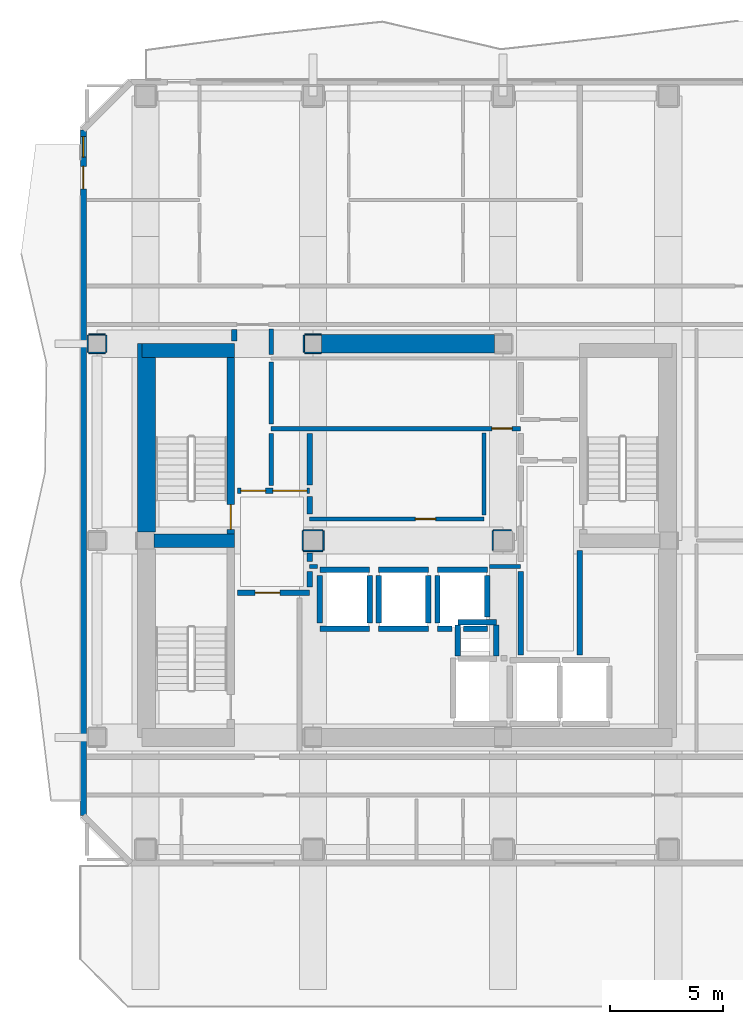
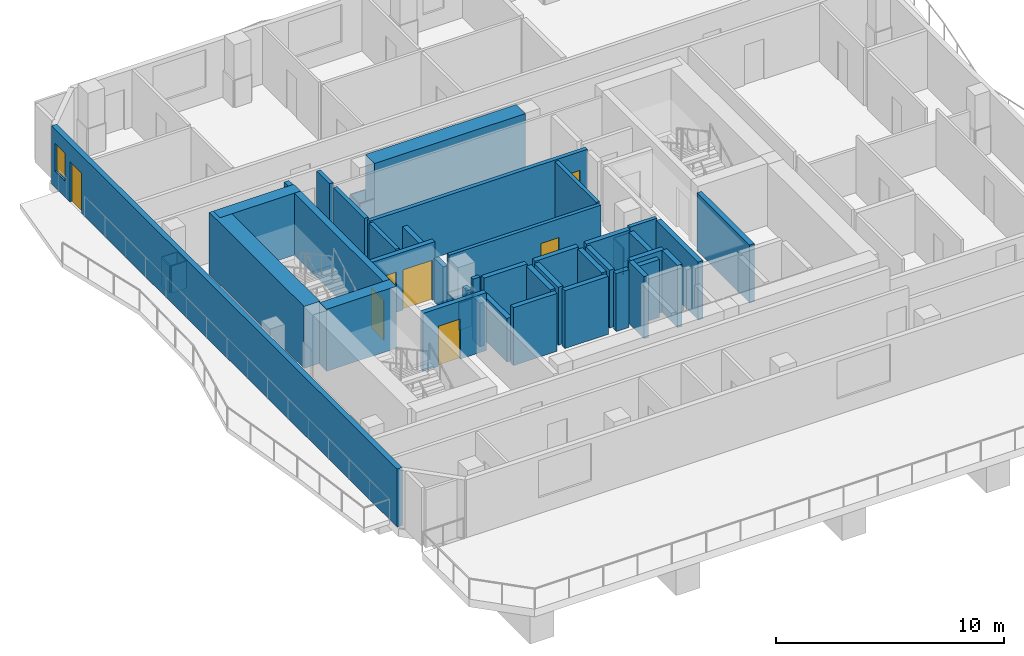
# One storey, part 3 of 9: 52 walls, 7 doors, 1 window, 8 openings.
"""IFC4 building model written with IfcOpenShell, lengths in metres."""

import ifcopenshell
import ifcopenshell.guid

model = None  # the IFC model being written
_history = None  # IfcOwnerHistory: only IFC2X3 demands one
_inside = {}  # id of a spatial element -> (the spatial element, [elements in it])
_under = {}  # id of a project, library or spatial element -> (it, [spatial elements below it])
_declared = {}  # id of a project -> (the project, [libraries it declares])
_typed = {}  # id of a type object -> (the type object, [elements of that type])
_made_of = {}  # id of a material, layer set ... -> (it, [elements and type objects made of it])


def new_model(schema):
    """Start an empty IFC model of exactly this schema.

    Asked for "IFC4X3", IfcOpenShell would pick the latest addendum, in which some entities
    have other attributes; the version numbers below select the first issue.
    IFC2X3 requires an IfcOwnerHistory on every rooted entity: one is made here for all.
    """
    global model, _history
    if schema == "IFC4X3":
        model = ifcopenshell.file(schema_version=(4, 3, 0, 0))
    else:
        model = ifcopenshell.file(schema=schema)
    _inside.clear()
    _under.clear()
    _declared.clear()
    _typed.clear()
    _made_of.clear()
    _history = None
    if model.schema == "IFC2X3":
        org = make("IfcOrganization", Name="unknown")
        user = make(
            "IfcPersonAndOrganization",
            ThePerson=make("IfcPerson", FamilyName="unknown"),
            TheOrganization=org,
        )
        app = make(
            "IfcApplication",
            ApplicationDeveloper=org,
            Version="unknown",
            ApplicationFullName="unknown",
            ApplicationIdentifier="unknown",
        )
        _history = make(
            "IfcOwnerHistory",
            OwningUser=user,
            OwningApplication=app,
            ChangeAction="ADDED",
            CreationDate=0,
        )
    return model


def make(cls, **values):
    """One entity of the class cls with the attributes given. An attribute that is None is left unset."""
    return model.create_entity(
        cls, **{name: value for name, value in values.items() if value is not None}
    )


def rooted(cls, **values):
    """An entity with a GlobalId (a new one), such as an element, a storey or a relation."""
    return make(cls, GlobalId=ifcopenshell.guid.new(), OwnerHistory=_history, **values)


def si_unit(unit_type, name, prefix=None):
    """IfcSIUnit, for example si_unit("LENGTHUNIT", "METRE", prefix="MILLI")."""
    return make("IfcSIUnit", UnitType=unit_type, Prefix=prefix, Name=name)


def assignment(units):
    """IfcUnitAssignment: the units of a project."""
    return None if units is None else make("IfcUnitAssignment", Units=units)


def point(xyz):
    """IfcCartesianPoint."""
    return None if xyz is None else make("IfcCartesianPoint", Coordinates=xyz)


def direction(xyz):
    """IfcDirection."""
    return None if xyz is None else make("IfcDirection", DirectionRatios=xyz)


def frame(location, z_axis=None, x_axis=None):
    """IfcAxis2Placement3D, a coordinate frame: its origin and axes. An axis left out is left unset."""
    return make(
        "IfcAxis2Placement3D",
        Location=point(location),
        Axis=direction(z_axis),
        RefDirection=direction(x_axis),
    )


def frame_2d(location, x_axis=None):
    """IfcAxis2Placement2D, a coordinate frame in the plane: its origin and x axis."""
    return make(
        "IfcAxis2Placement2D", Location=point(location), RefDirection=direction(x_axis)
    )


def origin():
    """The frame at (0, 0, 0) with its axes left unset."""
    return frame((0.0, 0.0, 0.0))


def place(relative_to, where):
    """IfcLocalPlacement: puts the frame where relative to a parent placement (None: the world)."""
    return make(
        "IfcLocalPlacement", PlacementRelTo=relative_to, RelativePlacement=where
    )


def context(
    kind, dimensions, precision=None, world=None, true_north=None, identifier=None
):
    """IfcGeometricRepresentationContext, for example the 3D "Model" context."""
    return make(
        "IfcGeometricRepresentationContext",
        ContextIdentifier=identifier,
        ContextType=kind,
        CoordinateSpaceDimension=dimensions,
        Precision=precision,
        WorldCoordinateSystem=world,
        TrueNorth=true_north,
    )


def subcontext(parent, identifier, kind, view, scale=None):
    """IfcGeometricRepresentationSubContext, for example "Body" below "Model"."""
    return make(
        "IfcGeometricRepresentationSubContext",
        ContextIdentifier=identifier,
        ContextType=kind,
        ParentContext=parent,
        TargetScale=scale,
        TargetView=view,
    )


def project(units=None, contexts=None):
    """IfcProject with its units and contexts."""
    return rooted(
        "IfcProject",
        Name="project",
        RepresentationContexts=contexts,
        UnitsInContext=assignment(units),
    )


def spatial(cls, under=None, at=None, **own):
    """A site, building, storey or space (cls), placed at a placement, below another one or the project."""
    s = rooted(cls, ObjectPlacement=at, **own)
    if under is not None:
        _under.setdefault(under.id(), (under, []))[1].append(s)
    return s


def profile(cls, at=None, kind="AREA", **sizes):
    """A parametric profile (cls). Its sizes go by their IFC names, for example OverallWidth=200.0."""
    return make(cls, ProfileType=kind, Position=at, **sizes)


def rectangle(**sizes):
    """IfcRectangleProfileDef."""
    return profile("IfcRectangleProfileDef", **sizes)


def extrude(swept, where, along, depth):
    """IfcExtrudedAreaSolid: the profile swept, set in the frame where, extruded along a direction by depth."""
    return make(
        "IfcExtrudedAreaSolid",
        SweptArea=swept,
        Position=where,
        ExtrudedDirection=direction(along),
        Depth=depth,
    )


def shape(context_of_items, identifier, shape_type, items):
    """IfcShapeRepresentation: the items that make up one representation, for example the "Body"."""
    return make(
        "IfcShapeRepresentation",
        ContextOfItems=context_of_items,
        RepresentationIdentifier=identifier,
        RepresentationType=shape_type,
        Items=items,
    )


def material(Name=None, Category=None):
    """IfcMaterial."""
    return make("IfcMaterial", Name=Name, Category=Category)


def layer(
    of_material, thickness, ventilated=None, Name=None, Category=None, Priority=None
):
    """IfcMaterialLayer: one layer of a wall or slab, of a material (None: an air gap)."""
    return make(
        "IfcMaterialLayer",
        Material=of_material,
        LayerThickness=thickness,
        IsVentilated=ventilated,
        Name=Name,
        Category=Category,
        Priority=Priority,
    )


def layer_set(layers, Name=None):
    """IfcMaterialLayerSet."""
    return make("IfcMaterialLayerSet", MaterialLayers=layers, LayerSetName=Name)


def made_of(thing, what):
    """Note that an element or type object is made of a material, layer set ...; save() writes the relation."""
    if what is not None:
        _made_of.setdefault(what.id(), (what, []))[1].append(thing)
    return thing


def type_object(cls, material=None, **own):
    """A type object (cls), such as IfcWallType, which elements share."""
    return made_of(rooted(cls, **own), material)


def element(
    cls,
    number,
    at=None,
    inside=None,
    cuts=None,
    type_object=None,
    material=None,
    context=None,
    identifier="Body",
    shape_type=None,
    held_by="IfcProductDefinitionShape",
    body=None,
    shapes=None,
    **own,
):
    """One element of the class cls, such as IfcWall. Its Tag is "e" and its number.

    at: its placement. inside: the storey or other place that contains it. cuts: it is an
    opening in that element (IfcRelVoidsElement). A single representation is given by context,
    identifier, shape_type and body (its items); several are given by shapes. held_by: the class
    of the entity that holds the representations. save() writes the other relations.
    """
    e = rooted(cls, Tag="e%d" % number, ObjectPlacement=at, **own)
    if body is not None:
        shapes = [shape(context, identifier, shape_type, body)]
    if shapes is not None:
        e.Representation = make(held_by, Representations=shapes)
    if inside is not None:
        _inside.setdefault(inside.id(), (inside, []))[1].append(e)
    if cuts is not None:
        rooted(
            "IfcRelVoidsElement", RelatingBuildingElement=cuts, RelatedOpeningElement=e
        )
    if type_object is not None:
        _typed.setdefault(type_object.id(), (type_object, []))[1].append(e)
    return made_of(e, material)


def fill(opening, filler):
    """IfcRelFillsElement: the door or window that sits in an opening."""
    return rooted(
        "IfcRelFillsElement",
        RelatingOpeningElement=opening,
        RelatedBuildingElement=filler,
    )


def aggregate(whole, parts):
    """IfcRelAggregates: a whole, such as a stair, and the parts it consists of."""
    return rooted("IfcRelAggregates", RelatingObject=whole, RelatedObjects=parts)


def save(model, path):
    """Write the relations noted so far, then the file.

    IfcRelAggregates (storeys below a building ...), IfcRelContainedInSpatialStructure (elements
    in a storey), IfcRelDefinesByType, IfcRelAssociatesMaterial and IfcRelDeclares: one each for
    every whole, place, type object, material and project.
    """
    for whole, parts in _under.values():
        aggregate(whole, parts)
    for where, things in _inside.values():
        rooted(
            "IfcRelContainedInSpatialStructure",
            RelatedElements=things,
            RelatingStructure=where,
        )
    for kind, things in _typed.values():
        rooted("IfcRelDefinesByType", RelatedObjects=things, RelatingType=kind)
    for what, things in _made_of.values():
        rooted("IfcRelAssociatesMaterial", RelatedObjects=things, RelatingMaterial=what)
    for by, libraries in _declared.values():
        rooted("IfcRelDeclares", RelatingContext=by, RelatedDefinitions=libraries)
    model.write(path)


model = new_model("IFC4")

# Units and contexts
model_context = context("Model", 3, precision=1e-05, world=origin(), true_north=direction((0.0, 1.0)))
body_context = subcontext(model_context, "Body", "Model", "MODEL_VIEW")
ifc_project = project(units=[si_unit("LENGTHUNIT", "METRE"), si_unit("AREAUNIT", "SQUARE_METRE"), si_unit("VOLUMEUNIT", "CUBIC_METRE"), si_unit("PLANEANGLEUNIT", "RADIAN"), si_unit("MASSUNIT", "GRAM", prefix="KILO")], contexts=[model_context])

# Site, building, storey
site_placement = place(None, origin())
site = spatial("IfcSite", under=ifc_project, at=site_placement, CompositionType="ELEMENT")
building_placement = place(site_placement, origin())
building = spatial("IfcBuilding", under=site, at=building_placement, Name="Solanera Arch Residences", CompositionType="ELEMENT")
storey_placement = place(building_placement, frame((0.0, 0.0, 231.280029296875)))
storey = spatial("IfcBuildingStorey", under=building, at=storey_placement, Name="L67", CompositionType="ELEMENT", Elevation=231.280029296875)

# Walls
ifc_material_1 = material(Name="Fire-Rated Gypsum Stud Partition", Category="gypsum")
ifc_layer_1 = layer(ifc_material_1, 0.06005859375)
ifc_layer_set_1 = layer_set([ifc_layer_1], Name="Fire-Rated Gypsum Stud Partition")
wall_type_1 = type_object("IfcWallType", Name="Column Acoustic Furring Wall 60", PredefinedType="PARTITIONING", material=ifc_layer_set_1)
for number, where, z_axis, x_axis, name in (
    (1, (20.425048828125, 38.992919921875, 0.0), (0.0, 0.0, 1.0), (1.0, 0.0, 0.0), "L67 Column Furring 3S"),
    (2, (20.425048828125, 39.806884765625, 0.0), (0.0, 0.0, 1.0), (1.0, 0.0, 0.0), "L67 Column Furring 3N"),
):
    element("IfcWall", number, at=place(storey_placement, frame(where, z_axis=z_axis, x_axis=x_axis)), inside=storey, type_object=wall_type_1, Name=name, PredefinedType="PARTITIONING", context=body_context, shape_type="SweptSolid", body=[
        extrude(rectangle(XDim=0.741943359375, YDim=0.06005859375, at=frame_2d((0.37109375, 0.0))), origin(), (0.0, 0.0, 1.0), 1.449951171875),
    ])
wall_1_placement = place(storey_placement, frame((20.39306640625, 39.02490234375, 0.0), z_axis=(0.0, 0.0, 1.0), x_axis=(0.0, 1.0, 0.0)))
element("IfcWall", 3, at=wall_1_placement, inside=storey, type_object=wall_type_1, Name="L67 Column Furring 3W", PredefinedType="PARTITIONING", context=body_context, shape_type="SweptSolid", body=[
    extrude(rectangle(XDim=0.75, YDim=0.06005859375, at=frame_2d((0.375, 0.0))), origin(), (0.0, 0.0, 1.0), 1.449951171875),
])
for number, where, z_axis, x_axis, name in (
    (4, (20.375, 30.242919921875, 0.0), (0.0, 0.0, 1.0), (1.0, 0.0, 0.0), "L67 Column Furring 7S"),
    (5, (20.375, 31.156982421875, 0.0), (0.0, 0.0, 1.0), (1.0, 0.0, 0.0), "L67 Column Furring 7N"),
    (6, (20.343017578125, 30.27490234375, 0.0), (0.0, 0.0, 1.0), (0.0, 1.0, 0.0), "L67 Column Furring 7W"),
    (7, (21.257080078125, 30.27490234375, 0.0), (0.0, 0.0, 1.0), (0.0, 1.0, 0.0), "L67 Column Furring 7E"),
):
    element("IfcWall", number, at=place(storey_placement, frame(where, z_axis=z_axis, x_axis=x_axis)), inside=storey, type_object=wall_type_1, Name=name, PredefinedType="PARTITIONING", context=body_context, shape_type="SweptSolid", body=[
        extrude(rectangle(XDim=0.85009765625, YDim=0.06005859375, at=frame_2d((0.425048828125, 0.0))), origin(), (0.0, 0.0, 1.0), 1.449951171875),
    ])
wall_2_placement = place(storey_placement, frame((28.77490234375, 31.156982421875, 0.0), z_axis=(0.0, 0.0, 1.0), x_axis=(1.0, 0.0, 0.0)))
element("IfcWall", 8, at=wall_2_placement, inside=storey, type_object=wall_type_1, Name="L67 Column Furring 8N", PredefinedType="PARTITIONING", context=body_context, shape_type="SweptSolid", body=[
    extrude(rectangle(XDim=0.794189453125, YDim=0.06005859375, at=frame_2d((0.39697265625, 0.0))), origin(), (0.0, 0.0, 1.0), 1.449951171875),
])
wall_3_placement = place(storey_placement, frame((28.742919921875, 30.27490234375, 0.0), z_axis=(0.0, 0.0, 1.0), x_axis=(0.0, 1.0, 0.0)))
element("IfcWall", 9, at=wall_3_placement, inside=storey, type_object=wall_type_1, Name="L67 Column Furring 8W", PredefinedType="PARTITIONING", context=body_context, shape_type="SweptSolid", body=[
    extrude(rectangle(XDim=0.85009765625, YDim=0.06005859375, at=frame_2d((0.425048828125, 0.0))), origin(), (0.0, 0.0, 1.0), 1.449951171875),
])
for number, where, z_axis, x_axis, name in (
    (10, (10.875, 38.992919921875, 0.0), (0.0, 0.0, 1.0), (1.0, 0.0, 0.0), "L67 Column Furring 21S"),
    (11, (10.875, 39.806884765625, 0.0), (0.0, 0.0, 1.0), (1.0, 0.0, 0.0), "L67 Column Furring 21N"),
    (12, (10.843017578125, 39.02490234375, 0.0), (0.0, 0.0, 1.0), (0.0, 1.0, 0.0), "L67 Column Furring 21W"),
    (13, (11.656982421875, 39.02490234375, 0.0), (0.0, 0.0, 1.0), (0.0, 1.0, 0.0), "L67 Column Furring 21E"),
):
    element("IfcWall", number, at=place(storey_placement, frame(where, z_axis=z_axis, x_axis=x_axis)), inside=storey, type_object=wall_type_1, Name=name, PredefinedType="PARTITIONING", context=body_context, shape_type="SweptSolid", body=[
        extrude(rectangle(XDim=0.75, YDim=0.06005859375, at=frame_2d((0.375, 0.0))), origin(), (0.0, 0.0, 1.0), 1.449951171875),
    ])

# Wall, opening, door
ifc_material_2 = material(Name="Concrete C40/50 (f'c = 45 MPa)", Category="concrete")
ifc_layer_2 = layer(ifc_material_2, 0.320068359375)
ifc_layer_set_2 = layer_set([ifc_layer_2], Name="Concrete C40/50 (f'c = 45 MPa)")
wall_type_2 = type_object("IfcWallType", Name="Core Shear Wall CW-320", PredefinedType="SHEAR", material=ifc_layer_set_2)
wall_4_placement = place(storey_placement, frame((17.159912109375, 31.0, 0.0), z_axis=(0.0, 0.0, 1.0), x_axis=(0.0, 1.0, 0.0)))
wall_4 = element("IfcWall", 14, at=wall_4_placement, inside=storey, type_object=wall_type_2, Name="L67 Stair ST-T1 East Shear Wall", PredefinedType="SHEAR", context=body_context, shape_type="SweptSolid", body=[
    extrude(rectangle(XDim=7.800048828125, YDim=0.320068359375, at=frame_2d((3.89990234375, 0.0))), origin(), (0.0, 0.0, 1.0), 3.320068359375),
])
opening_1_placement = place(wall_4_placement, frame((0.18994140625, 0.0, 0.0)))
opening_1 = element("IfcOpeningElement", 15, at=opening_1_placement, cuts=wall_4, Name="Opening DF-01", PredefinedType="OPENING", context=body_context, shape_type="SweptSolid", body=[
    extrude(rectangle(XDim=1.10009765625, YDim=2.14990234375, at=frame_2d((0.550048828125, 1.074951171875))), frame((0.0, 0.169921875, 0.0), z_axis=(0.0, -1.0, 0.0), x_axis=(1.0, 0.0, 0.0)), (0.0, 0.0, 1.0), 0.3401),
])
ifc_material_3 = material(Name="Fire-Rated Architectural Hardwood", Category="wood")
door_type_1 = type_object("IfcDoorType", Name="Stair Exit Fire Door DF-01", OperationType="NOTDEFINED", PredefinedType="DOOR", material=ifc_material_3)
door_1_placement = place(opening_1_placement, origin())
door_1 = element("IfcDoor", 16, at=door_1_placement, inside=storey, type_object=door_type_1, Name="DR-L67-STAIR-ST-T1", OperationType="SINGLE_SWING_LEFT", OverallHeight=2.14990234375, OverallWidth=1.10009765625, PredefinedType="DOOR", context=body_context, shape_type="SweptSolid", body=[
    extrude(rectangle(XDim=1.10009765625, YDim=2.14990234375, at=frame_2d((0.550048828125, 1.074951171875))), frame((0.0, 0.02490234375, 0.0), z_axis=(0.0, -1.0, 0.0), x_axis=(1.0, 0.0, 0.0)), (0.0, 0.0, 1.0), 0.050048828125),
])
fill(opening_1, door_1)

# Walls
ifc_material_4 = material(Name="Concrete C40/50 (f'c = 45 MPa)", Category="concrete")
ifc_layer_3 = layer(ifc_material_4, 0.60009765625)
ifc_layer_set_3 = layer_set([ifc_layer_3], Name="Concrete C40/50 (f'c = 45 MPa)")
wall_type_3 = type_object("IfcWallType", Name="Core Shear Wall CW-600", PredefinedType="SHEAR", material=ifc_layer_set_3)
wall_5_placement = place(storey_placement, frame((13.239990234375, 39.10009765625, 0.0), z_axis=(0.0, 0.0, 1.0), x_axis=(1.0, 0.0, 0.0)))
element("IfcWall", 17, at=wall_5_placement, inside=storey, type_object=wall_type_3, Name="L67 North-West Core Shear Wall", PredefinedType="SHEAR", context=body_context, shape_type="SweptSolid", body=[
    extrude(rectangle(XDim=4.080078125, YDim=0.60009765625, at=frame_2d((2.0400390625, 0.0))), origin(), (0.0, 0.0, 1.0), 3.320068359375),
])
wall_6_placement = place(storey_placement, frame((13.780029296875, 30.699951171875, 0.0), z_axis=(0.0, 0.0, 1.0), x_axis=(1.0, 0.0, 0.0)))
element("IfcWall", 18, at=wall_6_placement, inside=storey, type_object=wall_type_3, Name="L67 West Stair Divider Shear Wall", PredefinedType="SHEAR", context=body_context, shape_type="SweptSolid", body=[
    extrude(rectangle(XDim=3.5400390625, YDim=0.60009765625, at=frame_2d((1.77001953125, 0.0))), origin(), (0.0, 0.0, 1.0), 3.320068359375),
])
ifc_material_5 = material(Name="Concrete C40/50 (f'c = 45 MPa)", Category="concrete")
ifc_layer_4 = layer(ifc_material_5, 0.800048828125)
ifc_layer_set_4 = layer_set([ifc_layer_4], Name="Concrete C40/50 (f'c = 45 MPa)")
wall_type_4 = type_object("IfcWallType", Name="Core Shear Wall CW-800", PredefinedType="SHEAR", material=ifc_layer_set_4)
wall_7_placement = place(storey_placement, frame((13.43994140625, 31.080078125, 0.0), z_axis=(0.0, 0.0, 1.0), x_axis=(0.0, 1.0, 0.0)))
element("IfcWall", 19, at=wall_7_placement, inside=storey, type_object=wall_type_4, Name="L67 West Core North Shear Wall", PredefinedType="SHEAR", context=body_context, shape_type="SweptSolid", body=[
    extrude(rectangle(XDim=8.31982421875, YDim=0.800048828125, at=frame_2d((4.159912109375, 0.0))), origin(), (0.0, 0.0, 1.0), 3.320068359375),
])
wall_8_placement = place(storey_placement, frame((21.179931640625, 39.39990234375, 0.0), z_axis=(0.0, 0.0, 1.0), x_axis=(1.0, 0.0, 0.0)))
element("IfcWall", 20, at=wall_8_placement, inside=storey, type_object=wall_type_4, Name="L67 Central North Core Shear Wall", PredefinedType="SHEAR", context=body_context, shape_type="SweptSolid", body=[
    extrude(rectangle(XDim=7.64013671875, YDim=0.800048828125, at=frame_2d((3.820068359375, 0.0))), origin(), (0.0, 0.0, 1.0), 3.320068359375),
])
ifc_material_6 = material(Name="Autoclaved Aerated Concrete Blockwork", Category="masonry")
ifc_layer_5 = layer(ifc_material_6, 0.179931640625)
ifc_layer_set_5 = layer_set([ifc_layer_5], Name="Autoclaved Aerated Concrete Blockwork")
wall_type_5 = type_object("IfcWallType", Name="Corridor Fire Partition 180", PredefinedType="PARTITIONING", material=ifc_layer_set_5)
wall_9_placement = place(storey_placement, frame((20.64990234375, 29.550048828125, 0.0), z_axis=(0.0, 0.0, 1.0), x_axis=(1.0, 0.0, 0.0)))
element("IfcWall", 21, at=wall_9_placement, inside=storey, type_object=wall_type_5, Name="L67 Interior Partition H9 1", PredefinedType="PARTITIONING", context=body_context, shape_type="SweptSolid", body=[
    extrude(rectangle(XDim=0.357177734375, YDim=0.179931640625, at=frame_2d((0.1787109375, 0.0))), origin(), (0.0, 0.0, 1.0), 3.099853515625),
])
wall_10_placement = place(storey_placement, frame((28.593017578125, 29.550048828125, 0.0), z_axis=(0.0, 0.0, 1.0), x_axis=(1.0, 0.0, 0.0)))
element("IfcWall", 22, at=wall_10_placement, inside=storey, type_object=wall_type_5, Name="L67 Interior Partition H9 2", PredefinedType="PARTITIONING", context=body_context, shape_type="SweptSolid", body=[
    extrude(rectangle(XDim=1.382080078125, YDim=0.179931640625, at=frame_2d((0.69091796875, 0.0))), origin(), (0.0, 0.0, 1.0), 3.099853515625),
])

# Wall, opening, door
wall_11_placement = place(storey_placement, frame((20.64990234375, 31.64990234375, 0.0), z_axis=(0.0, 0.0, 1.0), x_axis=(1.0, 0.0, 0.0)))
wall_11 = element("IfcWall", 23, at=wall_11_placement, inside=storey, type_object=wall_type_5, Name="L67 Interior Partition H10", PredefinedType="PARTITIONING", context=body_context, shape_type="SweptSolid", body=[
    extrude(rectangle(XDim=7.7001953125, YDim=0.179931640625, at=frame_2d((3.85009765625, 0.0))), origin(), (0.0, 0.0, 1.0), 3.099853515625),
])
opening_2_placement = place(wall_11_placement, frame((4.673095703125, 0.0, 0.0)))
opening_2 = element("IfcOpeningElement", 24, at=opening_2_placement, cuts=wall_11, Name="Opening DI-02", PredefinedType="OPENING", context=body_context, shape_type="SweptSolid", body=[
    extrude(rectangle(XDim=0.89990234375, YDim=2.10009765625, at=frame_2d((0.449951171875, 1.050048828125))), frame((0.0, 0.10009765625, 0.0), z_axis=(0.0, -1.0, 0.0), x_axis=(1.0, 0.0, 0.0)), (0.0, 0.0, 1.0), 0.1999),
])
ifc_material_7 = material(Name="Fire-Rated Architectural Hardwood", Category="wood")
door_type_2 = type_object("IfcDoorType", Name="Suite Room Swing Door DI-02", OperationType="NOTDEFINED", PredefinedType="DOOR", material=ifc_material_7)
door_2_placement = place(opening_2_placement, origin())
door_2 = element("IfcDoor", 25, at=door_2_placement, inside=storey, type_object=door_type_2, Name="DR-L67-IN-013", OperationType="SINGLE_SWING_LEFT", OverallHeight=2.10009765625, OverallWidth=0.89990234375, PredefinedType="DOOR", context=body_context, shape_type="SweptSolid", body=[
    extrude(rectangle(XDim=0.89990234375, YDim=2.10009765625, at=frame_2d((0.449951171875, 1.050048828125))), frame((0.0, 0.02490234375, 0.0), z_axis=(0.0, -1.0, 0.0), x_axis=(1.0, 0.0, 0.0)), (0.0, 0.0, 1.0), 0.050048828125),
])
fill(opening_2, door_2)

# Wall
wall_12_placement = place(storey_placement, frame((28.35009765625, 31.837890625, 0.0), z_axis=(0.0, 0.0, 1.0), x_axis=(0.0, 1.0, 0.0)))
element("IfcWall", 26, at=wall_12_placement, inside=storey, type_object=wall_type_5, Name="L67 Interior Partition V10", PredefinedType="PARTITIONING", context=body_context, shape_type="SweptSolid", body=[
    extrude(rectangle(XDim=3.614013671875, YDim=0.179931640625, at=frame_2d((1.80712890625, 0.0))), origin(), (0.0, 0.0, 1.0), 3.099853515625),
])

# Wall, openings, door, window
ifc_material_8 = material(Name="Precast Concrete C35/45", Category="concrete")
ifc_layer_6 = layer(ifc_material_8, 0.260009765625)
ifc_layer_set_6 = layer_set([ifc_layer_6], Name="Precast Concrete C35/45")
wall_type_6 = type_object("IfcWallType", Name="Exterior Wall Precast Masonry-Frame 260", PredefinedType="STANDARD", material=ifc_layer_set_6)
wall_13_placement = place(storey_placement, frame((10.64501953125, 18.544921875, 0.0), z_axis=(0.0, 0.0, 1.0), x_axis=(0.0, 1.0, 0.0)))
wall_13 = element("IfcWall", 27, at=wall_13_placement, inside=storey, type_object=wall_type_6, Name="L67 Tower Exterior Precast Masonry-Frame Wall W", PredefinedType="STANDARD", context=body_context, shape_type="SweptSolid", body=[
    extrude(rectangle(XDim=30.31005859375, YDim=0.260009765625, at=frame_2d((15.155029296875, 0.0))), origin(), (0.0, 0.0, 1.0), 3.099853515625),
])
opening_3_placement = place(wall_13_placement, frame((27.695068359375, 0.0, 0.0)))
opening_3 = element("IfcOpeningElement", 28, at=opening_3_placement, cuts=wall_13, Name="Opening DB-01", PredefinedType="OPENING", context=body_context, shape_type="SweptSolid", body=[
    extrude(rectangle(XDim=1.0, YDim=2.14990234375, at=frame_2d((0.5, 1.074951171875))), frame((0.0, 0.139892578125, 0.0), z_axis=(0.0, -1.0, 0.0), x_axis=(1.0, 0.0, 0.0)), (0.0, 0.0, 1.0), 0.28),
])
opening_4_placement = place(wall_13_placement, frame((29.10791015625, 0.0, 0.85009765625)))
opening_4 = element("IfcOpeningElement", 29, at=opening_4_placement, cuts=wall_13, Name="Opening W-06", PredefinedType="OPENING", context=body_context, shape_type="SweptSolid", body=[
    extrude(rectangle(XDim=0.89990234375, YDim=1.5, at=frame_2d((0.449951171875, 0.75))), frame((0.0, 0.139892578125, 0.0), z_axis=(0.0, -1.0, 0.0), x_axis=(1.0, 0.0, 0.0)), (0.0, 0.0, 1.0), 0.28),
])
ifc_material_9 = material(Name="Anodised Aluminium Alloy 6063-T6", Category="aluminium")
door_type_3 = type_object("IfcDoorType", Name="Glazed Balcony Swing Door DB-01", OperationType="NOTDEFINED", PredefinedType="DOOR", material=ifc_material_9)
door_3_placement = place(opening_3_placement, origin())
door_3 = element("IfcDoor", 30, at=door_3_placement, inside=storey, type_object=door_type_3, Name="DR-L67-OUT-04", OperationType="SINGLE_SWING_RIGHT", OverallHeight=2.14990234375, OverallWidth=1.0, PredefinedType="DOOR", context=body_context, shape_type="SweptSolid", body=[
    extrude(rectangle(XDim=1.0, YDim=2.14990234375, at=frame_2d((0.5, 1.074951171875))), frame((0.0, 0.02490234375, 0.0), z_axis=(0.0, -1.0, 0.0), x_axis=(1.0, 0.0, 0.0)), (0.0, 0.0, 1.0), 0.050048828125),
])
fill(opening_3, door_3)
ifc_material_10 = material(Name="Double Glazed Low-E Laminated Glass", Category="glass")
window_type = type_object("IfcWindowType", Name="Punched Window W-06", PartitioningType="SINGLE_PANEL", PredefinedType="WINDOW", material=ifc_material_10)
window_placement = place(opening_4_placement, origin())
window = element("IfcWindow", 31, at=window_placement, inside=storey, type_object=window_type, Name="L67 6703-BR1 Punched Window", OverallHeight=1.5, OverallWidth=0.89990234375, PartitioningType="SINGLE_PANEL", PredefinedType="WINDOW", context=body_context, shape_type="SweptSolid", body=[
    extrude(rectangle(XDim=0.89990234375, YDim=1.5, at=frame_2d((0.449951171875, 0.75))), frame((0.0, 0.030029296875, 0.0), z_axis=(0.0, -1.0, 0.0), x_axis=(1.0, 0.0, 0.0)), (0.0, 0.0, 1.0), 0.06005859375),
])
fill(opening_4, window)

# Wall, opening, door
ifc_material_11 = material(Name="Autoclaved Aerated Concrete Blockwork", Category="masonry")
ifc_layer_7 = layer(ifc_material_11, 0.199951171875)
ifc_layer_set_7 = layer_set([ifc_layer_7], Name="Autoclaved Aerated Concrete Blockwork")
wall_type_7 = type_object("IfcWallType", Name="Party Wall Acoustic 200", PredefinedType="PARTITIONING", material=ifc_layer_set_7)
wall_14_placement = place(storey_placement, frame((18.949951171875, 35.64990234375, 0.0), z_axis=(0.0, 0.0, 1.0), x_axis=(1.0, 0.0, 0.0)))
wall_14 = element("IfcWall", 32, at=wall_14_placement, inside=storey, type_object=wall_type_7, Name="L67 Interior Partition H7", PredefinedType="PARTITIONING", context=body_context, shape_type="SweptSolid", body=[
    extrude(rectangle(XDim=11.025146484375, YDim=0.199951171875, at=frame_2d((5.5126953125, 0.0))), origin(), (0.0, 0.0, 1.0), 3.099853515625),
])
opening_5_placement = place(wall_14_placement, frame((9.7490234375, 0.0, 0.0)))
opening_5 = element("IfcOpeningElement", 33, at=opening_5_placement, cuts=wall_14, Name="Opening DI-02", PredefinedType="OPENING", context=body_context, shape_type="SweptSolid", body=[
    extrude(rectangle(XDim=0.89990234375, YDim=2.10009765625, at=frame_2d((0.449951171875, 1.050048828125))), frame((0.0, 0.110107421875, 0.0), z_axis=(0.0, -1.0, 0.0), x_axis=(1.0, 0.0, 0.0)), (0.0, 0.0, 1.0), 0.22),
])
door_4_placement = place(opening_5_placement, origin())
door_4 = element("IfcDoor", 34, at=door_4_placement, inside=storey, type_object=door_type_2, Name="DR-L67-IN-012", OperationType="SINGLE_SWING_RIGHT", OverallHeight=2.10009765625, OverallWidth=0.89990234375, PredefinedType="DOOR", context=body_context, shape_type="SweptSolid", body=[
    extrude(rectangle(XDim=0.89990234375, YDim=2.10009765625, at=frame_2d((0.449951171875, 1.050048828125))), frame((0.0, 0.02490234375, 0.0), z_axis=(0.0, -1.0, 0.0), x_axis=(1.0, 0.0, 0.0)), (0.0, 0.0, 1.0), 0.050048828125),
])
fill(opening_5, door_4)

# Walls
wall_15_placement = place(storey_placement, frame((18.949951171875, 33.1279296875, 0.0), z_axis=(0.0, 0.0, 1.0), x_axis=(0.0, 1.0, 0.0)))
element("IfcWall", 35, at=wall_15_placement, inside=storey, type_object=wall_type_7, Name="L67 Interior Partition V7 1", PredefinedType="PARTITIONING", context=body_context, shape_type="SweptSolid", body=[
    extrude(rectangle(XDim=2.31396484375, YDim=0.199951171875, at=frame_2d((1.156982421875, 0.0))), origin(), (0.0, 0.0, 1.0), 3.099853515625),
])
wall_16_placement = place(storey_placement, frame((18.949951171875, 35.85791015625, 0.0), z_axis=(0.0, 0.0, 1.0), x_axis=(0.0, 1.0, 0.0)))
element("IfcWall", 36, at=wall_16_placement, inside=storey, type_object=wall_type_7, Name="L67 Interior Partition V7 2", PredefinedType="PARTITIONING", context=body_context, shape_type="SweptSolid", body=[
    extrude(rectangle(XDim=2.72412109375, YDim=0.199951171875, at=frame_2d((1.362060546875, 0.0))), origin(), (0.0, 0.0, 1.0), 3.099853515625),
])
wall_17_placement = place(storey_placement, frame((18.949951171875, 38.91796875, 0.0), z_axis=(0.0, 0.0, 1.0), x_axis=(0.0, 1.0, 0.0)))
element("IfcWall", 37, at=wall_17_placement, inside=storey, type_object=wall_type_7, Name="L67 Interior Partition V7 3", PredefinedType="PARTITIONING", context=body_context, shape_type="SweptSolid", body=[
    extrude(rectangle(XDim=1.134033203125, YDim=0.199951171875, at=frame_2d((0.56689453125, 0.0))), origin(), (0.0, 0.0, 1.0), 3.099853515625),
])
ifc_material_12 = material(Name="Concrete C40/50 (f'c = 45 MPa)", Category="concrete")
ifc_layer_8 = layer(ifc_material_12, 0.239990234375)
ifc_layer_set_8 = layer_set([ifc_layer_8], Name="Concrete C40/50 (f'c = 45 MPa)")
wall_type_8 = type_object("IfcWallType", Name="Ramp Bearing Shear Wall RW-240", PredefinedType="SHEAR", material=ifc_layer_set_8)
wall_18_placement = place(storey_placement, frame((27.199951171875, 27.080078125, 0.0), z_axis=(0.0, 0.0, 1.0), x_axis=(1.0, 0.0, 0.0)))
element("IfcWall", 38, at=wall_18_placement, inside=storey, type_object=wall_type_8, Name="L67 Core MEP Riser North Shaft Wall", PredefinedType="SHEAR", context=body_context, shape_type="SweptSolid", body=[
    extrude(rectangle(XDim=1.699951171875, YDim=0.239990234375, at=frame_2d((0.85009765625, 0.0))), origin(), (0.0, 0.0, 1.0), 3.320068359375),
])
for number, where, z_axis, x_axis, name in (
    (39, (27.199951171875, 25.60009765625, 0.0), (0.0, 0.0, 1.0), (0.0, 1.0, 0.0), "L67 Core MEP Riser West Shaft Wall"),
    (40, (28.89990234375, 25.60009765625, 0.0), (0.0, 0.0, 1.0), (0.0, 1.0, 0.0), "L67 Core MEP Riser East Shaft Wall"),
):
    element("IfcWall", number, at=place(storey_placement, frame(where, z_axis=z_axis, x_axis=x_axis)), inside=storey, type_object=wall_type_8, Name=name, PredefinedType="SHEAR", context=body_context, shape_type="SweptSolid", body=[
        extrude(rectangle(XDim=1.35986328125, YDim=0.239990234375, at=frame_2d((0.679931640625, 0.0))), origin(), (0.0, 0.0, 1.0), 3.320068359375),
    ])
ifc_material_13 = material(Name="Autoclaved Aerated Concrete Blockwork", Category="masonry")
ifc_layer_9 = layer(ifc_material_13, 0.239990234375)
ifc_layer_set_9 = layer_set([ifc_layer_9], Name="Autoclaved Aerated Concrete Blockwork")
wall_type_9 = type_object("IfcWallType", Name="Shaft Wall Fire-Rated 240", PredefinedType="PARTITIONING", material=ifc_layer_set_9)
for number, where, z_axis, x_axis, name in (
    (41, (21.10009765625, 26.800048828125, 0.0), (0.0, 0.0, 1.0), (1.0, 0.0, 0.0), "L67 Lift PL-H1 Hoistway Wall S"),
    (42, (21.10009765625, 29.39990234375, 0.0), (0.0, 0.0, 1.0), (1.0, 0.0, 0.0), "L67 Lift PL-H1 Hoistway Wall N"),
):
    element("IfcWall", number, at=place(storey_placement, frame(where, z_axis=z_axis, x_axis=x_axis)), inside=storey, type_object=wall_type_9, Name=name, PredefinedType="PARTITIONING", context=body_context, shape_type="SweptSolid", body=[
        extrude(rectangle(XDim=2.199951171875, YDim=0.239990234375, at=frame_2d((1.10009765625, 0.0))), origin(), (0.0, 0.0, 1.0), 3.099853515625),
    ])
wall_19_placement = place(storey_placement, frame((21.10009765625, 27.048095703125, 0.0), z_axis=(0.0, 0.0, 1.0), x_axis=(0.0, 1.0, 0.0)))
element("IfcWall", 43, at=wall_19_placement, inside=storey, type_object=wall_type_9, Name="L67 Lift PL-H1 Hoistway Wall W", PredefinedType="PARTITIONING", context=body_context, shape_type="SweptSolid", body=[
    extrude(rectangle(XDim=2.10400390625, YDim=0.239990234375, at=frame_2d((1.052001953125, 0.0))), origin(), (0.0, 0.0, 1.0), 2.3349609375),
])
wall_20_placement = place(storey_placement, frame((23.300048828125, 27.048095703125, 0.0), z_axis=(0.0, 0.0, 1.0), x_axis=(0.0, 1.0, 0.0)))
element("IfcWall", 44, at=wall_20_placement, inside=storey, type_object=wall_type_9, Name="L67 Lift PL-H1 Hoistway Wall E", PredefinedType="PARTITIONING", context=body_context, shape_type="SweptSolid", body=[
    extrude(rectangle(XDim=2.10400390625, YDim=0.239990234375, at=frame_2d((1.052001953125, 0.0))), origin(), (0.0, 0.0, 1.0), 3.099853515625),
])
for number, where, z_axis, x_axis, name in (
    (45, (23.699951171875, 26.800048828125, 0.0), (0.0, 0.0, 1.0), (1.0, 0.0, 0.0), "L67 Lift PL-H2 Hoistway Wall S"),
    (46, (23.699951171875, 29.39990234375, 0.0), (0.0, 0.0, 1.0), (1.0, 0.0, 0.0), "L67 Lift PL-H2 Hoistway Wall N"),
):
    element("IfcWall", number, at=place(storey_placement, frame(where, z_axis=z_axis, x_axis=x_axis)), inside=storey, type_object=wall_type_9, Name=name, PredefinedType="PARTITIONING", context=body_context, shape_type="SweptSolid", body=[
        extrude(rectangle(XDim=2.199951171875, YDim=0.239990234375, at=frame_2d((1.10009765625, 0.0))), origin(), (0.0, 0.0, 1.0), 3.099853515625),
    ])
for number, where, z_axis, x_axis, name in (
    (47, (23.699951171875, 27.048095703125, 0.0), (0.0, 0.0, 1.0), (0.0, 1.0, 0.0), "L67 Lift PL-H2 Hoistway Wall W"),
    (48, (25.89990234375, 27.048095703125, 0.0), (0.0, 0.0, 1.0), (0.0, 1.0, 0.0), "L67 Lift PL-H2 Hoistway Wall E"),
):
    element("IfcWall", number, at=place(storey_placement, frame(where, z_axis=z_axis, x_axis=x_axis)), inside=storey, type_object=wall_type_9, Name=name, PredefinedType="PARTITIONING", context=body_context, shape_type="SweptSolid", body=[
        extrude(rectangle(XDim=2.10400390625, YDim=0.239990234375, at=frame_2d((1.052001953125, 0.0))), origin(), (0.0, 0.0, 1.0), 3.099853515625),
    ])
wall_21_placement = place(storey_placement, frame((26.300048828125, 26.800048828125, 0.0), z_axis=(0.0, 0.0, 1.0), x_axis=(1.0, 0.0, 0.0)))
element("IfcWall", 49, at=wall_21_placement, inside=storey, type_object=wall_type_9, Name="L67 Lift PL-H3 Hoistway Wall S 1", PredefinedType="PARTITIONING", context=body_context, shape_type="SweptSolid", body=[
    extrude(rectangle(XDim=0.64990234375, YDim=0.239990234375, at=frame_2d((0.324951171875, 0.0))), origin(), (0.0, 0.0, 1.0), 3.099853515625),
])
wall_22_placement = place(storey_placement, frame((27.449951171875, 26.800048828125, 0.0), z_axis=(0.0, 0.0, 1.0), x_axis=(1.0, 0.0, 0.0)))
element("IfcWall", 50, at=wall_22_placement, inside=storey, type_object=wall_type_9, Name="L67 Lift PL-H3 Hoistway Wall S 2", PredefinedType="PARTITIONING", context=body_context, shape_type="SweptSolid", body=[
    extrude(rectangle(XDim=1.050048828125, YDim=0.239990234375, at=frame_2d((0.52490234375, 0.0))), origin(), (0.0, 0.0, 1.0), 3.099853515625),
])
wall_23_placement = place(storey_placement, frame((26.300048828125, 29.39990234375, 0.0), z_axis=(0.0, 0.0, 1.0), x_axis=(1.0, 0.0, 0.0)))
element("IfcWall", 51, at=wall_23_placement, inside=storey, type_object=wall_type_9, Name="L67 Lift PL-H3 Hoistway Wall N", PredefinedType="PARTITIONING", context=body_context, shape_type="SweptSolid", body=[
    extrude(rectangle(XDim=2.199951171875, YDim=0.239990234375, at=frame_2d((1.10009765625, 0.0))), origin(), (0.0, 0.0, 1.0), 3.099853515625),
])
wall_24_placement = place(storey_placement, frame((26.300048828125, 27.048095703125, 0.0), z_axis=(0.0, 0.0, 1.0), x_axis=(0.0, 1.0, 0.0)))
element("IfcWall", 52, at=wall_24_placement, inside=storey, type_object=wall_type_9, Name="L67 Lift PL-H3 Hoistway Wall W", PredefinedType="PARTITIONING", context=body_context, shape_type="SweptSolid", body=[
    extrude(rectangle(XDim=2.10400390625, YDim=0.239990234375, at=frame_2d((1.052001953125, 0.0))), origin(), (0.0, 0.0, 1.0), 3.099853515625),
])
wall_25_placement = place(storey_placement, frame((28.5, 27.330078125, 0.0), z_axis=(0.0, 0.0, 1.0), x_axis=(0.0, 1.0, 0.0)))
element("IfcWall", 53, at=wall_25_placement, inside=storey, type_object=wall_type_9, Name="L67 Lift PL-H3 Hoistway Wall E", PredefinedType="PARTITIONING", context=body_context, shape_type="SweptSolid", body=[
    extrude(rectangle(XDim=1.822021484375, YDim=0.239990234375, at=frame_2d((0.9111328125, 0.0))), origin(), (0.0, 0.0, 1.0), 3.099853515625),
])

# Wall, opening, door
wall_26_placement = place(storey_placement, frame((17.449951171875, 28.39990234375, 0.0), z_axis=(0.0, 0.0, 1.0), x_axis=(1.0, 0.0, 0.0)))
wall_26 = element("IfcWall", 54, at=wall_26_placement, inside=storey, type_object=wall_type_9, Name="L67 Interior Partition H4", PredefinedType="PARTITIONING", context=body_context, shape_type="SweptSolid", body=[
    extrude(rectangle(XDim=3.199951171875, YDim=0.239990234375, at=frame_2d((1.60009765625, 0.0))), origin(), (0.0, 0.0, 1.0), 3.099853515625),
])
opening_6_placement = place(wall_26_placement, frame((0.783935546875, 0.0, 0.0)))
opening_6 = element("IfcOpeningElement", 55, at=opening_6_placement, cuts=wall_26, Name="Opening DF-02", PredefinedType="OPENING", context=body_context, shape_type="SweptSolid", body=[
    extrude(rectangle(XDim=1.10009765625, YDim=2.14990234375, at=frame_2d((0.550048828125, 1.074951171875))), frame((0.0, 0.1298828125, 0.0), z_axis=(0.0, -1.0, 0.0), x_axis=(1.0, 0.0, 0.0)), (0.0, 0.0, 1.0), 0.26),
])
ifc_material_14 = material(Name="Fire-Rated Architectural Hardwood", Category="wood")
door_type_4 = type_object("IfcDoorType", Name="Firefighting Lobby Fire Door DF-02", OperationType="NOTDEFINED", PredefinedType="DOOR", material=ifc_material_14)
door_5_placement = place(opening_6_placement, origin())
door_5 = element("IfcDoor", 56, at=door_5_placement, inside=storey, type_object=door_type_4, Name="DR-L67-IN-004", OperationType="SINGLE_SWING_RIGHT", OverallHeight=2.14990234375, OverallWidth=1.10009765625, PredefinedType="DOOR", context=body_context, shape_type="SweptSolid", body=[
    extrude(rectangle(XDim=1.10009765625, YDim=2.14990234375, at=frame_2d((0.550048828125, 1.074951171875))), frame((0.0, 0.02490234375, 0.0), z_axis=(0.0, -1.0, 0.0), x_axis=(1.0, 0.0, 0.0)), (0.0, 0.0, 1.0), 0.050048828125),
])
fill(opening_6, door_5)

# Wall, openings, doors
wall_27_placement = place(storey_placement, frame((17.449951171875, 32.89990234375, 0.0), z_axis=(0.0, 0.0, 1.0), x_axis=(1.0, 0.0, 0.0)))
wall_27 = element("IfcWall", 57, at=wall_27_placement, inside=storey, type_object=wall_type_9, Name="L67 Interior Partition H5", PredefinedType="PARTITIONING", context=body_context, shape_type="SweptSolid", body=[
    extrude(rectangle(XDim=3.199951171875, YDim=0.239990234375, at=frame_2d((1.60009765625, 0.0))), origin(), (0.0, 0.0, 1.0), 3.099853515625),
])
opening_7_placement = place(wall_27_placement, frame((0.158935546875, 0.0, 0.0)))
opening_7 = element("IfcOpeningElement", 58, at=opening_7_placement, cuts=wall_27, Name="Opening DF-02", PredefinedType="OPENING", context=body_context, shape_type="SweptSolid", body=[
    extrude(rectangle(XDim=1.10009765625, YDim=2.14990234375, at=frame_2d((0.550048828125, 1.074951171875))), frame((0.0, 0.1298828125, 0.0), z_axis=(0.0, -1.0, 0.0), x_axis=(1.0, 0.0, 0.0)), (0.0, 0.0, 1.0), 0.26),
])
opening_8_placement = place(wall_27_placement, frame((1.575927734375, 0.0, 0.0)))
opening_8 = element("IfcOpeningElement", 59, at=opening_8_placement, cuts=wall_27, Name="Opening DP-01", PredefinedType="OPENING", context=body_context, shape_type="SweptSolid", body=[
    extrude(rectangle(XDim=1.5, YDim=2.14990234375, at=frame_2d((0.75, 1.074951171875))), frame((0.0, 0.1298828125, 0.0), z_axis=(0.0, -1.0, 0.0), x_axis=(1.0, 0.0, 0.0)), (0.0, 0.0, 1.0), 0.26),
])
door_6_placement = place(opening_7_placement, origin())
door_6 = element("IfcDoor", 60, at=door_6_placement, inside=storey, type_object=door_type_4, Name="DR-L67-IN-005", OperationType="SINGLE_SWING_LEFT", OverallHeight=2.14990234375, OverallWidth=1.10009765625, PredefinedType="DOOR", context=body_context, shape_type="SweptSolid", body=[
    extrude(rectangle(XDim=1.10009765625, YDim=2.14990234375, at=frame_2d((0.550048828125, 1.074951171875))), frame((0.0, 0.02490234375, 0.0), z_axis=(0.0, -1.0, 0.0), x_axis=(1.0, 0.0, 0.0)), (0.0, 0.0, 1.0), 0.050048828125),
])
fill(opening_7, door_6)
ifc_material_15 = material(Name="Fire-Rated Architectural Hardwood", Category="wood")
door_type_5 = type_object("IfcDoorType", Name="Plant Double Fire Door DP-01", OperationType="NOTDEFINED", PredefinedType="DOOR", material=ifc_material_15)
door_7_placement = place(opening_8_placement, origin())
door_7 = element("IfcDoor", 61, at=door_7_placement, inside=storey, type_object=door_type_5, Name="DR-L67-IN-010", OperationType="SINGLE_SWING_RIGHT", OverallHeight=2.14990234375, OverallWidth=1.5, PredefinedType="DOOR", context=body_context, shape_type="SweptSolid", body=[
    extrude(rectangle(XDim=1.5, YDim=2.14990234375, at=frame_2d((0.75, 1.074951171875))), frame((0.0, 0.02490234375, 0.0), z_axis=(0.0, -1.0, 0.0), x_axis=(1.0, 0.0, 0.0)), (0.0, 0.0, 1.0), 0.050048828125),
])
fill(opening_8, door_7)

# Walls
wall_28_placement = place(storey_placement, frame((17.320068359375, 39.530029296875, 0.0), z_axis=(0.0, 0.0, 1.0), x_axis=(0.0, 1.0, 0.0)))
element("IfcWall", 62, at=wall_28_placement, inside=storey, type_object=wall_type_9, Name="L67 Interior Partition V1", PredefinedType="PARTITIONING", context=body_context, shape_type="SweptSolid", body=[
    extrude(rectangle(XDim=0.501953125, YDim=0.239990234375, at=frame_2d((0.2509765625, 0.0))), origin(), (0.0, 0.0, 1.0), 3.099853515625),
])
wall_29_placement = place(storey_placement, frame((20.64990234375, 28.64794921875, 0.0), z_axis=(0.0, 0.0, 1.0), x_axis=(0.0, 1.0, 0.0)))
element("IfcWall", 63, at=wall_29_placement, inside=storey, type_object=wall_type_9, Name="L67 Interior Partition V3 1", PredefinedType="PARTITIONING", context=body_context, shape_type="SweptSolid", body=[
    extrude(rectangle(XDim=0.68408203125, YDim=0.239990234375, at=frame_2d((0.342041015625, 0.0))), origin(), (0.0, 0.0, 1.0), 2.3349609375),
])
wall_30_placement = place(storey_placement, frame((20.64990234375, 29.76806640625, 0.0), z_axis=(0.0, 0.0, 1.0), x_axis=(0.0, 1.0, 0.0)))
element("IfcWall", 64, at=wall_30_placement, inside=storey, type_object=wall_type_9, Name="L67 Interior Partition V3 2", PredefinedType="PARTITIONING", context=body_context, shape_type="SweptSolid", body=[
    extrude(rectangle(XDim=0.375, YDim=0.239990234375, at=frame_2d((0.1875, 0.0))), origin(), (0.0, 0.0, 1.0), 2.3349609375),
])
wall_31_placement = place(storey_placement, frame((20.64990234375, 31.867919921875, 0.0), z_axis=(0.0, 0.0, 1.0), x_axis=(0.0, 1.0, 0.0)))
element("IfcWall", 65, at=wall_31_placement, inside=storey, type_object=wall_type_9, Name="L67 Interior Partition V3 3", PredefinedType="PARTITIONING", context=body_context, shape_type="SweptSolid", body=[
    extrude(rectangle(XDim=0.7841796875, YDim=0.239990234375, at=frame_2d((0.39208984375, 0.0))), origin(), (0.0, 0.0, 1.0), 2.3349609375),
])
wall_32_placement = place(storey_placement, frame((20.64990234375, 33.14794921875, 0.0), z_axis=(0.0, 0.0, 1.0), x_axis=(0.0, 1.0, 0.0)))
element("IfcWall", 66, at=wall_32_placement, inside=storey, type_object=wall_type_9, Name="L67 Interior Partition V3 4", PredefinedType="PARTITIONING", context=body_context, shape_type="SweptSolid", body=[
    extrude(rectangle(XDim=2.274169921875, YDim=0.239990234375, at=frame_2d((1.13720703125, 0.0))), origin(), (0.0, 0.0, 1.0), 2.3349609375),
])
wall_33_placement = place(storey_placement, frame((29.97509765625, 25.64794921875, 0.0), z_axis=(0.0, 0.0, 1.0), x_axis=(0.0, 1.0, 0.0)))
element("IfcWall", 67, at=wall_33_placement, inside=storey, type_object=wall_type_9, Name="L67 Interior Partition V4 1", PredefinedType="PARTITIONING", context=body_context, shape_type="SweptSolid", body=[
    extrude(rectangle(XDim=3.68408203125, YDim=0.239990234375, at=frame_2d((1.842041015625, 0.0))), origin(), (0.0, 0.0, 1.0), 3.099853515625),
])
wall_34_placement = place(storey_placement, frame((32.580078125, 25.64794921875, 0.0), z_axis=(0.0, 0.0, 1.0), x_axis=(0.0, 1.0, 0.0)))
element("IfcWall", 68, at=wall_34_placement, inside=storey, type_object=wall_type_9, Name="L67 Interior Partition V5", PredefinedType="PARTITIONING", context=body_context, shape_type="SweptSolid", body=[
    extrude(rectangle(XDim=4.6220703125, YDim=0.239990234375, at=frame_2d((2.31103515625, 0.0))), origin(), (0.0, 0.0, 1.0), 3.099853515625),
])

save(model, "model.ifc")
